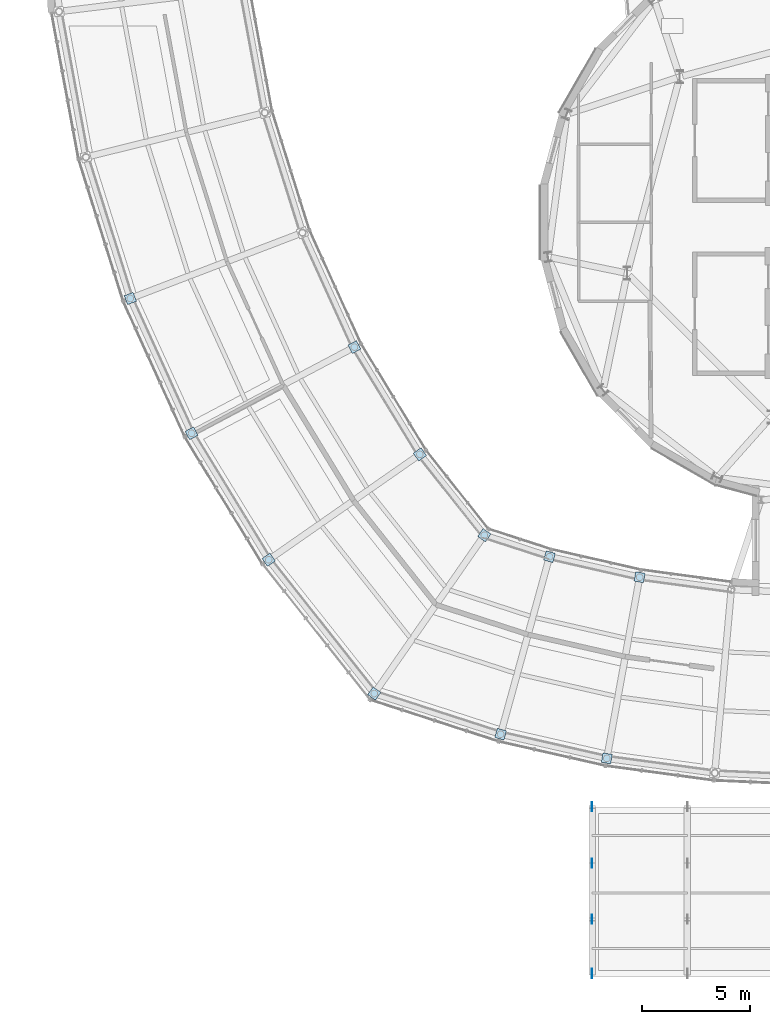
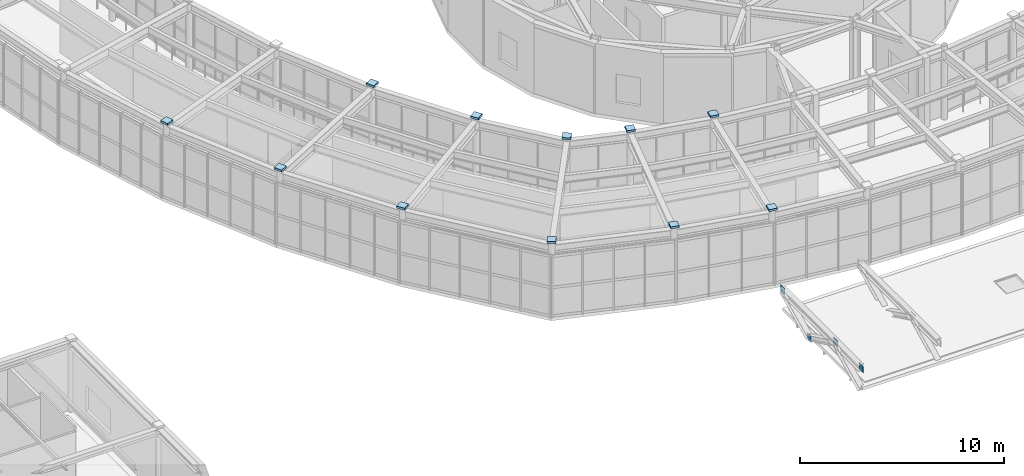
# One storey, part 70 of 103: 15 plates.
"""IFC4 building model written with IfcOpenShell, lengths in metres."""

from ifc_helpers import new_model, si_unit, direction, frame, origin, origin_2d, place, context, subcontext, project, spatial, rectangle, extrude, material, layer, layer_set, type_object, element, save


model = new_model("IFC4")

# Units and contexts
model_context = context("Model", 3, precision=1e-05, world=origin(), true_north=direction((0.0, 1.0)))
body_context = subcontext(model_context, "Body", "Model", "MODEL_VIEW")
ifc_project = project(units=[si_unit("LENGTHUNIT", "METRE"), si_unit("AREAUNIT", "SQUARE_METRE"), si_unit("VOLUMEUNIT", "CUBIC_METRE"), si_unit("PLANEANGLEUNIT", "RADIAN"), si_unit("MASSUNIT", "GRAM", prefix="KILO")], contexts=[model_context])

# Site, building, storey
site_placement = place(None, origin())
site = spatial("IfcSite", under=ifc_project, at=site_placement, CompositionType="ELEMENT")
building_placement = place(site_placement, origin())
building = spatial("IfcBuilding", under=site, at=building_placement, Name="Varnklinge Art Gallery", CompositionType="ELEMENT")
storey_placement = place(building_placement, frame((0.0, 0.0, 5.10009765625)))
storey = spatial("IfcBuildingStorey", under=building, at=storey_placement, Name="L01", CompositionType="ELEMENT", Elevation=5.10009765625)

# Plates
ifc_material_1 = material(Name="Steel S355", Category="steel")
ifc_layer_1 = layer(ifc_material_1, 0.02001953125)
ifc_layer_set_1 = layer_set([ifc_layer_1], Name="Steel S355")
plate_type_1 = type_object("IfcPlateType", Name="PLT-GP1", PredefinedType="USERDEFINED", material=ifc_layer_set_1)
for number, where, z_axis, x_axis, name in (
    (1, (64.800048828125, 11.39990234375, 0.86962890625), (0.0, 0.0, 1.0), (0.0, 1.0, 0.0), "Canopy Truss Node Gusset Plate 1.1"),
    (2, (64.800048828125, 8.800048828125, -0.400390625), (0.0, 0.0, 1.0), (0.0, 1.0, 0.0), "Canopy Truss Node Gusset Plate 1.2"),
    (3, (64.800048828125, 6.199951171875, 0.86962890625), (0.0, 0.0, 1.0), (0.0, 1.0, 0.0), "Canopy Truss Node Gusset Plate 1.3"),
    (4, (64.800048828125, 3.699951171875, 0.86962890625), (0.0, 0.0, 1.0), (0.0, 1.0, 0.0), "Canopy Truss Tip Gusset Plate 1"),
):
    element("IfcPlate", number, at=place(storey_placement, frame(where, z_axis=z_axis, x_axis=x_axis)), inside=storey, type_object=plate_type_1, Name=name, ObjectType="GUSSET PLATE", PredefinedType="USERDEFINED", context=body_context, shape_type="SweptSolid", body=[
        extrude(rectangle(XDim=0.419921875, YDim=0.02001953125, at=origin_2d()), origin(), (0.0, 0.0, 1.0), 0.360107421875),
    ])
ifc_material_2 = material(Name="Steel S355", Category="steel")
ifc_layer_2 = layer(ifc_material_2, 0.159912109375)
ifc_layer_set_2 = layer_set([ifc_layer_2], Name="Steel S355")
plate_type_2 = type_object("IfcPlateType", Name="PLT-GP2", PredefinedType="USERDEFINED", material=ifc_layer_set_2)
for number, where, z_axis, x_axis, name in (
    (5, (43.45361328125, 34.90283203125, 4.31982421875), (0.0, 0.0, 1.0), (0.934017558691, 0.357227098715, 0.0), "L01 Hollow Column End Cap Plate V2CO-30"),
    (6, (46.28369140625, 28.6689453125, 4.31982421875), (0.0, 0.0, 1.0), (0.883683947469, 0.468084053333, 0.0), "L01 Hollow Column End Cap Plate V2CO-31"),
    (7, (53.810302734375, 32.655517578125, 4.31982421875), (0.0, 0.0, 1.0), (0.883683947469, 0.468084053333, 0.0), "L01 Hollow Column End Cap Plate V2CI-31"),
    (8, (49.85009765625, 22.8251953125, 4.31982421875), (0.0, 0.0, 1.0), (0.820351542489, 0.571859551582, 0.0), "L01 Hollow Column End Cap Plate V2CO-32"),
    (9, (56.8369140625, 27.6962890625, 4.31982421875), (0.0, 0.0, 1.0), (0.820351542489, 0.571859551582, 0.0), "L01 Hollow Column End Cap Plate V2CI-32"),
    (10, (54.72900390625, 16.64013671875, 4.31982421875), (0.0, 0.0, 1.0), (0.570570241419, 0.821248804935, 0.0), "L01 Hollow Column End Cap Plate V2CO-33"),
    (11, (59.814208984375, 23.958984375, 4.31982421875), (0.0, 0.0, 1.0), (0.570570241419, 0.821248804935, 0.0), "L01 Hollow Column End Cap Plate V2CI-33"),
    (12, (60.5703125, 14.7626953125, 4.31982421875), (0.0, 0.0, 1.0), (0.265387847052, 0.964141737836, 0.0), "L01 Hollow Column End Cap Plate V2CO-34"),
    (13, (62.82861328125, 22.966796875, 4.31982421875), (0.0, 0.0, 1.0), (0.265387847052, 0.964141737836, 0.0), "L01 Hollow Column End Cap Plate V2CI-34"),
    (14, (65.479736328125, 13.64501953125, 4.31982421875), (0.0, 0.0, 1.0), (0.178115290264, 0.984009625651, 0.0), "L01 Hollow Column End Cap Plate V2CO-35"),
    (15, (66.99560546875, 22.018310546875, 4.31982421875), (0.0, 0.0, 1.0), (0.178115290264, 0.984009625651, 0.0), "L01 Hollow Column End Cap Plate V2CI-35"),
):
    element("IfcPlate", number, at=place(storey_placement, frame(where, z_axis=z_axis, x_axis=x_axis)), inside=storey, type_object=plate_type_2, Name=name, ObjectType="GUSSET PLATE", PredefinedType="USERDEFINED", context=body_context, shape_type="SweptSolid", body=[
        extrude(rectangle(XDim=0.43994140625, YDim=0.43994140625, at=origin_2d()), origin(), (0.0, 0.0, 1.0), 0.1201171875),
    ])

save(model, "model.ifc")
